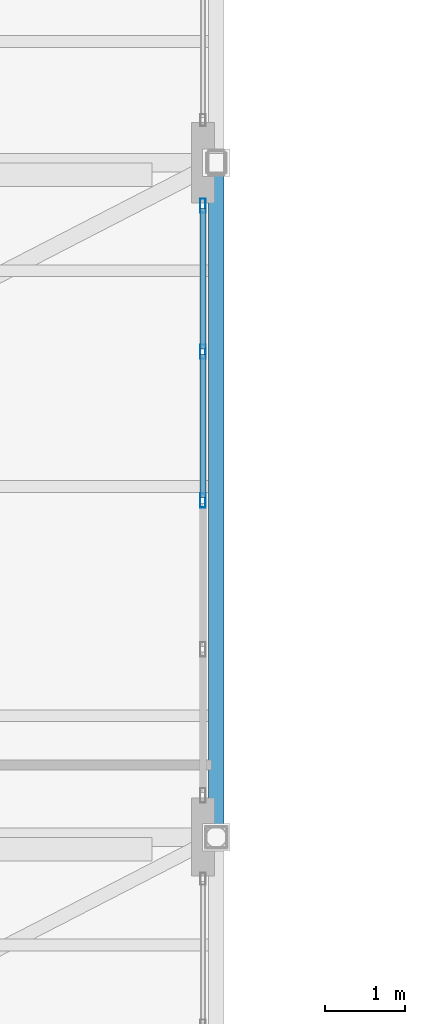
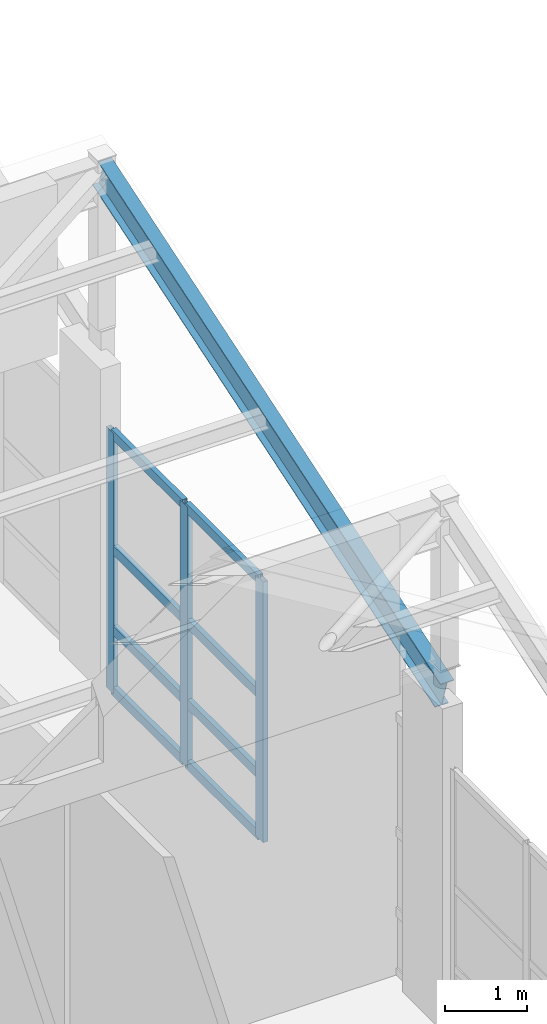
# One storey, part 10 of 34: 11 members, 1 beam, 1 element without a shape of its own.
"""IFC4 building model written with IfcOpenShell, lengths in metres."""

from ifc_helpers import new_model, si_unit, direction, frame, origin, origin_2d, place, context, subcontext, project, spatial, hollow_rectangle, i_section, extrude, material, layer, layer_set, material_profile, profile_set, type_object, element, aggregate, save


model = new_model("IFC4")

# Units and contexts
model_context = context("Model", 3, precision=1e-05, world=origin(), true_north=direction((0.0, 1.0)))
body_context = subcontext(model_context, "Body", "Model", "MODEL_VIEW")
ifc_project = project(units=[si_unit("LENGTHUNIT", "METRE"), si_unit("AREAUNIT", "SQUARE_METRE"), si_unit("VOLUMEUNIT", "CUBIC_METRE"), si_unit("PLANEANGLEUNIT", "RADIAN"), si_unit("MASSUNIT", "GRAM", prefix="KILO")], contexts=[model_context])

# Site, building, storey
site_placement = place(None, origin())
site = spatial("IfcSite", under=ifc_project, at=site_placement, CompositionType="ELEMENT")
building_placement = place(site_placement, origin())
building = spatial("IfcBuilding", under=site, at=building_placement, Name="Quendrovan Civic Courthouse", CompositionType="ELEMENT")
storey_placement = place(building_placement, frame((0.0, 0.0, 25.5)))
storey = spatial("IfcBuildingStorey", under=building, at=storey_placement, Name="L06", CompositionType="ELEMENT", Elevation=25.5)

# Beam
ifc_material_1 = material(Name="Steel ASTM A992 Grade 50", Category="steel")
ifc_material_profile_1 = material_profile(ifc_material_1, i_section(OverallWidth=0.18994140625, OverallDepth=0.45703125, WebThickness=0.009033203125, FlangeThickness=0.014404296875, at=origin_2d()), Name="W460x74")
ifc_profile_set_1 = profile_set([ifc_material_profile_1], Name="Steel ASTM A992 Grade 50")
beam_type = type_object("IfcBeamType", Name="BM-STL-W460", PredefinedType="BEAM", material=ifc_profile_set_1)
beam_placement = place(storey_placement, frame((16.800048828125, 39.60009765625, 4.651611328125), z_axis=(0.0, 0.951058036, 0.309012317167), x_axis=(-1.0, 0.0, 0.0)))
element("IfcBeam", 1, at=beam_placement, inside=storey, type_object=beam_type, Name="Sawtooth Raking Steel Rafter B3-E", PredefinedType="BEAM", context=body_context, shape_type="SweptSolid", body=[
    extrude(i_section(OverallWidth=0.18994140625, OverallDepth=0.45703125, WebThickness=0.009033203125, FlangeThickness=0.014404296875, at=origin_2d()), origin(), (0.0, 0.0, 1.0), 8.832275390625),
])

# Curtain wall, members
ifc_material_2 = material(Name="Bronze anodised aluminium and low-E glass", Category="aluminium")
ifc_layer = layer(ifc_material_2, 0.179931640625, Name="Bronze anodised aluminium and low-E glass")
ifc_layer_set = layer_set([ifc_layer], Name="Bronze anodised aluminium and low-E glass")
curtain_wall_type = type_object("IfcCurtainWallType", Name="CW-U74x39", PredefinedType="USERDEFINED", material=ifc_layer_set)
curtain_wall_placement = place(storey_placement, origin())
curtain_wall = element("IfcCurtainWall", 2, at=curtain_wall_placement, inside=storey, type_object=curtain_wall_type, Name="L06 Unitised Hurricane Curtain Wall CW-212", ObjectType="UNITISED CURTAIN WALL", PredefinedType="USERDEFINED")
ifc_material_3 = material(Name="Bronze anodised aluminium", Category="aluminium")
ifc_material_profile_2 = material_profile(ifc_material_3, hollow_rectangle(XDim=0.070068359375, YDim=0.179931640625, WallThickness=0.00390625, at=origin_2d()), Name="CW-MULL-70x180")
ifc_profile_set_2 = profile_set([ifc_material_profile_2], Name="Bronze anodised aluminium")
member_type_1 = type_object("IfcMemberType", Name="CW-MULL-A", PredefinedType="MULLION", material=ifc_profile_set_2)
member_1_placement = place(storey_placement, frame((16.635009765625, 47.465087890625, 0.0), z_axis=(0.0, 0.0, 1.0), x_axis=(1.0, 0.0, 0.0)))
member_1 = element("IfcMember", 3, at=member_1_placement, type_object=member_type_1, Name="CW-212 mullion 1", PredefinedType="MULLION", context=body_context, shape_type="SweptSolid", body=[
    extrude(hollow_rectangle(XDim=0.070068359375, YDim=0.179931640625, WallThickness=0.00390625, at=origin_2d()), origin(), (0.0, 0.0, 1.0), 3.89990234375),
])
member_2_placement = place(storey_placement, frame((16.635009765625, 45.646728515625, 0.0), z_axis=(0.0, 0.0, 1.0), x_axis=(1.0, 0.0, 0.0)))
member_2 = element("IfcMember", 4, at=member_2_placement, type_object=member_type_1, Name="CW-212 mullion 2", PredefinedType="MULLION", context=body_context, shape_type="SweptSolid", body=[
    extrude(hollow_rectangle(XDim=0.070068359375, YDim=0.179931640625, WallThickness=0.00390625, at=origin_2d()), origin(), (0.0, 0.0, 1.0), 3.89990234375),
])
member_3_placement = place(storey_placement, frame((16.635009765625, 43.793212890625, 0.0), z_axis=(0.0, 0.0, 1.0), x_axis=(1.0, 0.0, 0.0)))
member_3 = element("IfcMember", 5, at=member_3_placement, type_object=member_type_1, Name="CW-212 mullion 3", PredefinedType="MULLION", context=body_context, shape_type="SweptSolid", body=[
    extrude(hollow_rectangle(XDim=0.070068359375, YDim=0.179931640625, WallThickness=0.00390625, at=origin_2d()), origin(), (0.0, 0.0, 1.0), 3.89990234375),
])
ifc_material_profile_3 = material_profile(ifc_material_3, hollow_rectangle(XDim=0.070068359375, YDim=0.139892578125, WallThickness=0.00390625, at=origin_2d()), Name="CW-TRAN-70x140")
ifc_profile_set_3 = profile_set([ifc_material_profile_3], Name="Bronze anodised aluminium")
member_type_2 = type_object("IfcMemberType", Name="CW-TRAN-A", PredefinedType="USERDEFINED", material=ifc_profile_set_3)
member_4_placement = place(storey_placement, frame((16.635009765625, 47.429931640625, 0.034912109375), z_axis=(0.0, -1.0, 0.0), x_axis=(1.0, 0.0, 0.0)))
member_4 = element("IfcMember", 6, at=member_4_placement, type_object=member_type_2, Name="CW-212 transom 1.1", ObjectType="TRANSOM", PredefinedType="USERDEFINED", context=body_context, shape_type="SweptSolid", body=[
    extrude(hollow_rectangle(XDim=0.070068359375, YDim=0.139892578125, WallThickness=0.00390625, at=origin_2d()), origin(), (0.0, 0.0, 1.0), 1.748291015625),
])
member_5_placement = place(storey_placement, frame((16.635009765625, 47.429931640625, 0.949951171875), z_axis=(0.0, -1.0, 0.0), x_axis=(1.0, 0.0, 0.0)))
member_5 = element("IfcMember", 7, at=member_5_placement, type_object=member_type_2, Name="CW-212 transom 1.2", ObjectType="TRANSOM", PredefinedType="USERDEFINED", context=body_context, shape_type="SweptSolid", body=[
    extrude(hollow_rectangle(XDim=0.070068359375, YDim=0.139892578125, WallThickness=0.00390625, at=origin_2d()), origin(), (0.0, 0.0, 1.0), 1.748291015625),
])
member_6_placement = place(storey_placement, frame((16.635009765625, 47.429931640625, 2.14990234375), z_axis=(0.0, -1.0, 0.0), x_axis=(1.0, 0.0, 0.0)))
member_6 = element("IfcMember", 8, at=member_6_placement, type_object=member_type_2, Name="CW-212 transom 1.3", ObjectType="TRANSOM", PredefinedType="USERDEFINED", context=body_context, shape_type="SweptSolid", body=[
    extrude(hollow_rectangle(XDim=0.070068359375, YDim=0.139892578125, WallThickness=0.00390625, at=origin_2d()), origin(), (0.0, 0.0, 1.0), 1.748291015625),
])
member_7_placement = place(storey_placement, frame((16.635009765625, 47.429931640625, 3.864990234375), z_axis=(0.0, -1.0, 0.0), x_axis=(1.0, 0.0, 0.0)))
member_7 = element("IfcMember", 9, at=member_7_placement, type_object=member_type_2, Name="CW-212 transom 1.4", ObjectType="TRANSOM", PredefinedType="USERDEFINED", context=body_context, shape_type="SweptSolid", body=[
    extrude(hollow_rectangle(XDim=0.070068359375, YDim=0.139892578125, WallThickness=0.00390625, at=origin_2d()), origin(), (0.0, 0.0, 1.0), 1.748291015625),
])
member_8_placement = place(storey_placement, frame((16.635009765625, 45.611572265625, 0.034912109375), z_axis=(0.0, -1.0, 0.0), x_axis=(1.0, 0.0, 0.0)))
member_8 = element("IfcMember", 10, at=member_8_placement, type_object=member_type_2, Name="CW-212 transom 2.1", ObjectType="TRANSOM", PredefinedType="USERDEFINED", context=body_context, shape_type="SweptSolid", body=[
    extrude(hollow_rectangle(XDim=0.070068359375, YDim=0.139892578125, WallThickness=0.00390625, at=origin_2d()), origin(), (0.0, 0.0, 1.0), 1.783203125),
])
member_9_placement = place(storey_placement, frame((16.635009765625, 45.611572265625, 0.949951171875), z_axis=(0.0, -1.0, 0.0), x_axis=(1.0, 0.0, 0.0)))
member_9 = element("IfcMember", 11, at=member_9_placement, type_object=member_type_2, Name="CW-212 transom 2.2", ObjectType="TRANSOM", PredefinedType="USERDEFINED", context=body_context, shape_type="SweptSolid", body=[
    extrude(hollow_rectangle(XDim=0.070068359375, YDim=0.139892578125, WallThickness=0.00390625, at=origin_2d()), origin(), (0.0, 0.0, 1.0), 1.783203125),
])
member_10_placement = place(storey_placement, frame((16.635009765625, 45.611572265625, 2.14990234375), z_axis=(0.0, -1.0, 0.0), x_axis=(1.0, 0.0, 0.0)))
member_10 = element("IfcMember", 12, at=member_10_placement, type_object=member_type_2, Name="CW-212 transom 2.3", ObjectType="TRANSOM", PredefinedType="USERDEFINED", context=body_context, shape_type="SweptSolid", body=[
    extrude(hollow_rectangle(XDim=0.070068359375, YDim=0.139892578125, WallThickness=0.00390625, at=origin_2d()), origin(), (0.0, 0.0, 1.0), 1.783203125),
])
member_11_placement = place(storey_placement, frame((16.635009765625, 45.611572265625, 3.864990234375), z_axis=(0.0, -1.0, 0.0), x_axis=(1.0, 0.0, 0.0)))
member_11 = element("IfcMember", 13, at=member_11_placement, type_object=member_type_2, Name="CW-212 transom 2.4", ObjectType="TRANSOM", PredefinedType="USERDEFINED", context=body_context, shape_type="SweptSolid", body=[
    extrude(hollow_rectangle(XDim=0.070068359375, YDim=0.139892578125, WallThickness=0.00390625, at=origin_2d()), origin(), (0.0, 0.0, 1.0), 1.783203125),
])
aggregate(curtain_wall, [member_1, member_2, member_3, member_4, member_5, member_6, member_7, member_8, member_9, member_10, member_11])

save(model, "model.ifc")
